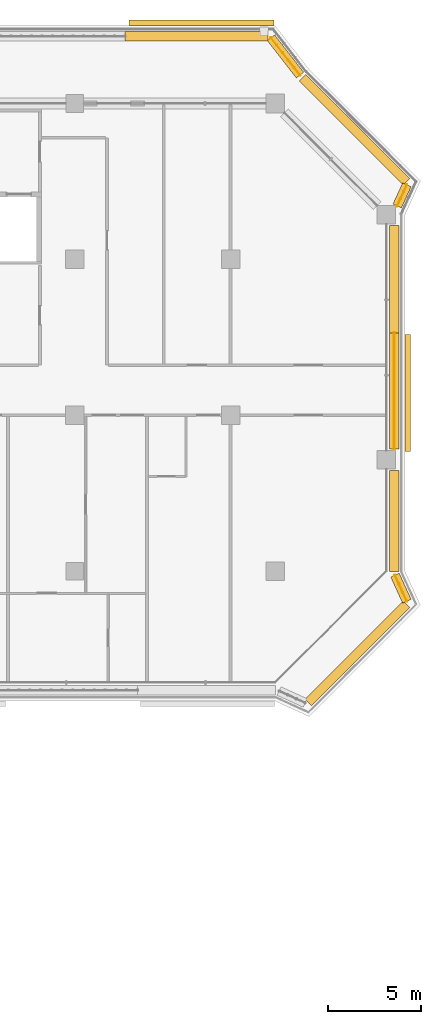
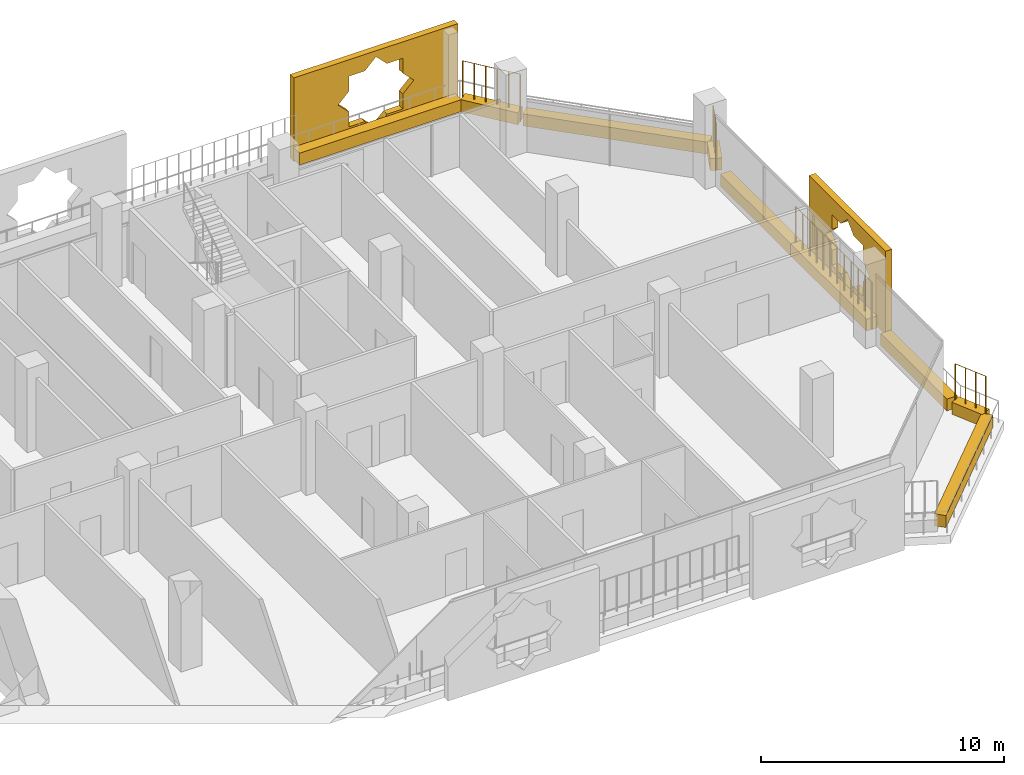
# One storey, part 22 of 22: 11 coverings, 4 railings.
"""IFC4 building model written with IfcOpenShell, lengths in metres."""

import ifcopenshell
import ifcopenshell.guid

model = None  # the IFC model being written
_history = None  # IfcOwnerHistory: only IFC2X3 demands one
_inside = {}  # id of a spatial element -> (the spatial element, [elements in it])
_under = {}  # id of a project, library or spatial element -> (it, [spatial elements below it])
_declared = {}  # id of a project -> (the project, [libraries it declares])
_typed = {}  # id of a type object -> (the type object, [elements of that type])
_made_of = {}  # id of a material, layer set ... -> (it, [elements and type objects made of it])


def new_model(schema):
    """Start an empty IFC model of exactly this schema.

    Asked for "IFC4X3", IfcOpenShell would pick the latest addendum, in which some entities
    have other attributes; the version numbers below select the first issue.
    IFC2X3 requires an IfcOwnerHistory on every rooted entity: one is made here for all.
    """
    global model, _history
    if schema == "IFC4X3":
        model = ifcopenshell.file(schema_version=(4, 3, 0, 0))
    else:
        model = ifcopenshell.file(schema=schema)
    _inside.clear()
    _under.clear()
    _declared.clear()
    _typed.clear()
    _made_of.clear()
    _history = None
    if model.schema == "IFC2X3":
        org = make("IfcOrganization", Name="unknown")
        user = make(
            "IfcPersonAndOrganization",
            ThePerson=make("IfcPerson", FamilyName="unknown"),
            TheOrganization=org,
        )
        app = make(
            "IfcApplication",
            ApplicationDeveloper=org,
            Version="unknown",
            ApplicationFullName="unknown",
            ApplicationIdentifier="unknown",
        )
        _history = make(
            "IfcOwnerHistory",
            OwningUser=user,
            OwningApplication=app,
            ChangeAction="ADDED",
            CreationDate=0,
        )
    return model


def make(cls, **values):
    """One entity of the class cls with the attributes given. An attribute that is None is left unset."""
    return model.create_entity(
        cls, **{name: value for name, value in values.items() if value is not None}
    )


def rooted(cls, **values):
    """An entity with a GlobalId (a new one), such as an element, a storey or a relation."""
    return make(cls, GlobalId=ifcopenshell.guid.new(), OwnerHistory=_history, **values)


def si_unit(unit_type, name, prefix=None):
    """IfcSIUnit, for example si_unit("LENGTHUNIT", "METRE", prefix="MILLI")."""
    return make("IfcSIUnit", UnitType=unit_type, Prefix=prefix, Name=name)


def assignment(units):
    """IfcUnitAssignment: the units of a project."""
    return None if units is None else make("IfcUnitAssignment", Units=units)


def point(xyz):
    """IfcCartesianPoint."""
    return None if xyz is None else make("IfcCartesianPoint", Coordinates=xyz)


def direction(xyz):
    """IfcDirection."""
    return None if xyz is None else make("IfcDirection", DirectionRatios=xyz)


def frame(location, z_axis=None, x_axis=None):
    """IfcAxis2Placement3D, a coordinate frame: its origin and axes. An axis left out is left unset."""
    return make(
        "IfcAxis2Placement3D",
        Location=point(location),
        Axis=direction(z_axis),
        RefDirection=direction(x_axis),
    )


def frame_2d(location, x_axis=None):
    """IfcAxis2Placement2D, a coordinate frame in the plane: its origin and x axis."""
    return make(
        "IfcAxis2Placement2D", Location=point(location), RefDirection=direction(x_axis)
    )


def origin():
    """The frame at (0, 0, 0) with its axes left unset."""
    return frame((0.0, 0.0, 0.0))


def origin_2d():
    """The frame at (0, 0) in the plane with its x axis left unset."""
    return frame_2d((0.0, 0.0))


def place(relative_to, where):
    """IfcLocalPlacement: puts the frame where relative to a parent placement (None: the world)."""
    return make(
        "IfcLocalPlacement", PlacementRelTo=relative_to, RelativePlacement=where
    )


def context(
    kind, dimensions, precision=None, world=None, true_north=None, identifier=None
):
    """IfcGeometricRepresentationContext, for example the 3D "Model" context."""
    return make(
        "IfcGeometricRepresentationContext",
        ContextIdentifier=identifier,
        ContextType=kind,
        CoordinateSpaceDimension=dimensions,
        Precision=precision,
        WorldCoordinateSystem=world,
        TrueNorth=true_north,
    )


def subcontext(parent, identifier, kind, view, scale=None):
    """IfcGeometricRepresentationSubContext, for example "Body" below "Model"."""
    return make(
        "IfcGeometricRepresentationSubContext",
        ContextIdentifier=identifier,
        ContextType=kind,
        ParentContext=parent,
        TargetScale=scale,
        TargetView=view,
    )


def project(units=None, contexts=None):
    """IfcProject with its units and contexts."""
    return rooted(
        "IfcProject",
        Name="project",
        RepresentationContexts=contexts,
        UnitsInContext=assignment(units),
    )


def spatial(cls, under=None, at=None, **own):
    """A site, building, storey or space (cls), placed at a placement, below another one or the project."""
    s = rooted(cls, ObjectPlacement=at, **own)
    if under is not None:
        _under.setdefault(under.id(), (under, []))[1].append(s)
    return s


def polyline(points):
    """IfcPolyline through the points."""
    return make("IfcPolyline", Points=[point(p) for p in points])


def profile(cls, at=None, kind="AREA", **sizes):
    """A parametric profile (cls). Its sizes go by their IFC names, for example OverallWidth=200.0."""
    return make(cls, ProfileType=kind, Position=at, **sizes)


def rectangle(**sizes):
    """IfcRectangleProfileDef."""
    return profile("IfcRectangleProfileDef", **sizes)


def circle(**sizes):
    """IfcCircleProfileDef."""
    return profile("IfcCircleProfileDef", **sizes)


def outline(outer, holes=None, kind="AREA"):
    """IfcArbitraryClosedProfileDef: a profile drawn as a closed curve; with holes, ...WithVoids."""
    if holes is None:
        return make("IfcArbitraryClosedProfileDef", ProfileType=kind, OuterCurve=outer)
    return make(
        "IfcArbitraryProfileDefWithVoids",
        ProfileType=kind,
        OuterCurve=outer,
        InnerCurves=holes,
    )


def extrude(swept, where, along, depth):
    """IfcExtrudedAreaSolid: the profile swept, set in the frame where, extruded along a direction by depth."""
    return make(
        "IfcExtrudedAreaSolid",
        SweptArea=swept,
        Position=where,
        ExtrudedDirection=direction(along),
        Depth=depth,
    )


def shape(context_of_items, identifier, shape_type, items):
    """IfcShapeRepresentation: the items that make up one representation, for example the "Body"."""
    return make(
        "IfcShapeRepresentation",
        ContextOfItems=context_of_items,
        RepresentationIdentifier=identifier,
        RepresentationType=shape_type,
        Items=items,
    )


def material(Name=None, Category=None):
    """IfcMaterial."""
    return make("IfcMaterial", Name=Name, Category=Category)


def material_profile(
    of_material, cross_section, Name=None, Category=None, Priority=None
):
    """IfcMaterialProfile: a cross section and its material."""
    return make(
        "IfcMaterialProfile",
        Name=Name,
        Material=of_material,
        Profile=cross_section,
        Priority=Priority,
        Category=Category,
    )


def profile_set(profiles, Name=None, composite=None):
    """IfcMaterialProfileSet."""
    return make(
        "IfcMaterialProfileSet",
        Name=Name,
        MaterialProfiles=profiles,
        CompositeProfile=composite,
    )


def made_of(thing, what):
    """Note that an element or type object is made of a material, layer set ...; save() writes the relation."""
    if what is not None:
        _made_of.setdefault(what.id(), (what, []))[1].append(thing)
    return thing


def type_object(cls, material=None, **own):
    """A type object (cls), such as IfcWallType, which elements share."""
    return made_of(rooted(cls, **own), material)


def element(
    cls,
    number,
    at=None,
    inside=None,
    cuts=None,
    type_object=None,
    material=None,
    context=None,
    identifier="Body",
    shape_type=None,
    held_by="IfcProductDefinitionShape",
    body=None,
    shapes=None,
    **own,
):
    """One element of the class cls, such as IfcWall. Its Tag is "e" and its number.

    at: its placement. inside: the storey or other place that contains it. cuts: it is an
    opening in that element (IfcRelVoidsElement). A single representation is given by context,
    identifier, shape_type and body (its items); several are given by shapes. held_by: the class
    of the entity that holds the representations. save() writes the other relations.
    """
    e = rooted(cls, Tag="e%d" % number, ObjectPlacement=at, **own)
    if body is not None:
        shapes = [shape(context, identifier, shape_type, body)]
    if shapes is not None:
        e.Representation = make(held_by, Representations=shapes)
    if inside is not None:
        _inside.setdefault(inside.id(), (inside, []))[1].append(e)
    if cuts is not None:
        rooted(
            "IfcRelVoidsElement", RelatingBuildingElement=cuts, RelatedOpeningElement=e
        )
    if type_object is not None:
        _typed.setdefault(type_object.id(), (type_object, []))[1].append(e)
    return made_of(e, material)


def aggregate(whole, parts):
    """IfcRelAggregates: a whole, such as a stair, and the parts it consists of."""
    return rooted("IfcRelAggregates", RelatingObject=whole, RelatedObjects=parts)


def save(model, path):
    """Write the relations noted so far, then the file.

    IfcRelAggregates (storeys below a building ...), IfcRelContainedInSpatialStructure (elements
    in a storey), IfcRelDefinesByType, IfcRelAssociatesMaterial and IfcRelDeclares: one each for
    every whole, place, type object, material and project.
    """
    for whole, parts in _under.values():
        aggregate(whole, parts)
    for where, things in _inside.values():
        rooted(
            "IfcRelContainedInSpatialStructure",
            RelatedElements=things,
            RelatingStructure=where,
        )
    for kind, things in _typed.values():
        rooted("IfcRelDefinesByType", RelatedObjects=things, RelatingType=kind)
    for what, things in _made_of.values():
        rooted("IfcRelAssociatesMaterial", RelatedObjects=things, RelatingMaterial=what)
    for by, libraries in _declared.values():
        rooted("IfcRelDeclares", RelatingContext=by, RelatedDefinitions=libraries)
    model.write(path)


model = new_model("IFC4")

# Units and contexts
model_context = context("Model", 3, precision=1e-05, world=origin(), true_north=direction((0.0, 1.0)))
body_context = subcontext(model_context, "Body", "Model", "MODEL_VIEW")
ifc_project = project(units=[si_unit("LENGTHUNIT", "METRE"), si_unit("AREAUNIT", "SQUARE_METRE"), si_unit("VOLUMEUNIT", "CUBIC_METRE"), si_unit("PLANEANGLEUNIT", "RADIAN"), si_unit("MASSUNIT", "GRAM", prefix="KILO")], contexts=[model_context])

# Site, building, storey
site_placement = place(None, origin())
site = spatial("IfcSite", under=ifc_project, at=site_placement, CompositionType="ELEMENT")
building_placement = place(site_placement, origin())
building = spatial("IfcBuilding", under=site, at=building_placement, Name="Kawkab Arch Medical Tower", CompositionType="ELEMENT")
storey_placement = place(building_placement, frame((0.0, 0.0, 204.60009765625)))
storey = spatial("IfcBuildingStorey", under=building, at=storey_placement, Name="L47", CompositionType="ELEMENT", Elevation=204.60009765625)

# Coverings
ifc_material_1 = material(Name="Bronze anodised aluminium mashrabiya panel, eight-point star pattern", Category="aluminium")
ifc_material_profile_1 = material_profile(ifc_material_1, outline(polyline([(-3.14990234375, -2.10009765625), (3.14990234375, -2.10009765625), (3.14990234375, 2.10009765625), (-3.14990234375, 2.10009765625), (-3.14990234375, -2.10009765625)]), holes=[polyline([(1.800048828125, 0.0), (1.272705078125, 0.527099609375), (1.272705078125, 1.272705078125), (0.527099609375, 1.272705078125), (0.0, 1.800048828125), (-0.527099609375, 1.272705078125), (-1.272705078125, 1.272705078125), (-1.272705078125, 0.527099609375), (-1.800048828125, 0.0), (-1.272705078125, -0.527099609375), (-1.272705078125, -1.272705078125), (-0.527099609375, -1.272705078125), (0.0, -1.800048828125), (0.527099609375, -1.272705078125), (1.272705078125, -1.272705078125), (1.272705078125, -0.527099609375), (1.800048828125, 0.0)])]), Name="Mashrabiya panel 6300x4200")
ifc_profile_set_1 = profile_set([ifc_material_profile_1], Name="Bronze anodised aluminium mashrabiya panel, eight-point star pattern")
covering_type_1 = type_object("IfcCoveringType", Name="Mashrabiya panel 6300 x 4200", PredefinedType="USERDEFINED", material=ifc_profile_set_1)
covering_1_placement = place(storey_placement, frame((68.199951171875, -15.60009765625, 1.699951171875), z_axis=(1.0, 0.0, 0.0), x_axis=(0.0, 1.0, 0.0)))
element("IfcCovering", 1, at=covering_1_placement, inside=storey, type_object=covering_type_1, Name="Mashrabiya panel L47.LOG-01-01.9", ObjectType="SCREEN", PredefinedType="USERDEFINED", context=body_context, shape_type="SweptSolid", body=[
    extrude(outline(polyline([(-3.14990234375, -2.10009765625), (3.14990234375, -2.10009765625), (3.14990234375, 2.10009765625), (-3.14990234375, 2.10009765625), (-3.14990234375, -2.10009765625)]), holes=[polyline([(1.800048828125, 0.0), (1.272705078125, 0.527099609375), (1.272705078125, 1.272705078125), (0.527099609375, 1.272705078125), (0.0, 1.800048828125), (-0.527099609375, 1.272705078125), (-1.272705078125, 1.272705078125), (-1.272705078125, 0.527099609375), (-1.800048828125, 0.0), (-1.272705078125, -0.527099609375), (-1.272705078125, -1.272705078125), (-0.527099609375, -1.272705078125), (0.0, -1.800048828125), (0.527099609375, -1.272705078125), (1.272705078125, -1.272705078125), (1.272705078125, -0.527099609375), (1.800048828125, 0.0)])]), origin(), (0.0, 0.0, 1.0), 0.300048828125),
])
ifc_material_2 = material(Name="Bronze anodised aluminium mashrabiya panel, eight-point star pattern", Category="aluminium")
ifc_material_profile_2 = material_profile(ifc_material_2, outline(polyline([(-3.89990234375, -2.10009765625), (3.89990234375, -2.10009765625), (3.89990234375, 2.10009765625), (-3.89990234375, 2.10009765625), (-3.89990234375, -2.10009765625)]), holes=[polyline([(1.800048828125, 0.0), (1.272705078125, 0.527099609375), (1.272705078125, 1.272705078125), (0.527099609375, 1.272705078125), (0.0, 1.800048828125), (-0.527099609375, 1.272705078125), (-1.272705078125, 1.272705078125), (-1.272705078125, 0.527099609375), (-1.800048828125, 0.0), (-1.272705078125, -0.527099609375), (-1.272705078125, -1.272705078125), (-0.527099609375, -1.272705078125), (0.0, -1.800048828125), (0.527099609375, -1.272705078125), (1.272705078125, -1.272705078125), (1.272705078125, -0.527099609375), (1.800048828125, 0.0)])]), Name="Mashrabiya panel 7800x4200")
ifc_profile_set_2 = profile_set([ifc_material_profile_2], Name="Bronze anodised aluminium mashrabiya panel, eight-point star pattern")
covering_type_2 = type_object("IfcCoveringType", Name="Mashrabiya panel 7800 x 4200", PredefinedType="USERDEFINED", material=ifc_profile_set_2)
covering_2_placement = place(storey_placement, frame((57.23291015625, 4.199951171875, 1.699951171875), z_axis=(0.0, 1.0, 0.0), x_axis=(-1.0, 0.0, 0.0)))
element("IfcCovering", 2, at=covering_2_placement, inside=storey, type_object=covering_type_2, Name="Mashrabiya panel L47.LOG-01-01.8", ObjectType="SCREEN", PredefinedType="USERDEFINED", context=body_context, shape_type="SweptSolid", body=[
    extrude(outline(polyline([(-3.89990234375, -2.10009765625), (3.89990234375, -2.10009765625), (3.89990234375, 2.10009765625), (-3.89990234375, 2.10009765625), (-3.89990234375, -2.10009765625)]), holes=[polyline([(1.800048828125, 0.0), (1.272705078125, 0.527099609375), (1.272705078125, 1.272705078125), (0.527099609375, 1.272705078125), (0.0, 1.800048828125), (-0.527099609375, 1.272705078125), (-1.272705078125, 1.272705078125), (-1.272705078125, 0.527099609375), (-1.800048828125, 0.0), (-1.272705078125, -0.527099609375), (-1.272705078125, -1.272705078125), (-0.527099609375, -1.272705078125), (0.0, -1.800048828125), (0.527099609375, -1.272705078125), (1.272705078125, -1.272705078125), (1.272705078125, -0.527099609375), (1.800048828125, 0.0)])]), origin(), (0.0, 0.0, 1.0), 0.300048828125),
])
ifc_material_3 = material(Name="Planting soil in a precast trough", Category="concrete")
ifc_material_profile_3 = material_profile(ifc_material_3, rectangle(XDim=0.5, YDim=0.60009765625, at=origin_2d()), Name="Trough 500x600")
ifc_profile_set_3 = profile_set([ifc_material_profile_3], Name="Planting soil in a precast trough")
covering_type_3 = type_object("IfcCoveringType", Name="Planter trough 500 x 600", PredefinedType="USERDEFINED", material=ifc_profile_set_3)
covering_3_placement = place(storey_placement, frame((53.112060546875, 3.6201171875, 0.2998046875), z_axis=(1.0, 0.0, 0.0), x_axis=(0.0, 1.0, 0.0)))
element("IfcCovering", 3, at=covering_3_placement, inside=storey, type_object=covering_type_3, Name="Planter L47.LOG-01-01.24", ObjectType="PLANTER", PredefinedType="USERDEFINED", context=body_context, shape_type="SweptSolid", body=[
    extrude(rectangle(XDim=0.5, YDim=0.60009765625, at=origin_2d()), origin(), (0.0, 0.0, 1.0), 7.703857421875),
])
covering_4_placement = place(storey_placement, frame((60.97802734375, 3.541015625, 0.2998046875), z_axis=(0.61404021143, -0.789274742246, 0.0), x_axis=(0.789274742246, 0.61404021143, 0.0)))
element("IfcCovering", 4, at=covering_4_placement, inside=storey, type_object=covering_type_3, Name="Planter L47.LOG-01-01.25", ObjectType="PLANTER", PredefinedType="USERDEFINED", context=body_context, shape_type="SweptSolid", body=[
    extrude(rectangle(XDim=0.5, YDim=0.60009765625, at=origin_2d()), origin(), (0.0, 0.0, 1.0), 2.54541015625),
])
covering_5_placement = place(storey_placement, frame((62.673095703125, 1.383056640625, 0.2998046875), z_axis=(0.707091367247, -0.70712219479, 0.0), x_axis=(0.70712219479, 0.707091367247, 0.0)))
element("IfcCovering", 5, at=covering_5_placement, inside=storey, type_object=covering_type_3, Name="Planter L47.LOG-01-01.26", ObjectType="PLANTER", PredefinedType="USERDEFINED", context=body_context, shape_type="SweptSolid", body=[
    extrude(rectangle(XDim=0.5, YDim=0.60009765625, at=origin_2d()), origin(), (0.0, 0.0, 1.0), 7.919677734375),
])
covering_6_placement = place(storey_placement, frame((68.302001953125, -4.37890625, 0.2998046875), z_axis=(-0.415089762627, -0.909780461959, 0.0), x_axis=(0.909780461959, -0.415089762627, 0.0)))
element("IfcCovering", 6, at=covering_6_placement, inside=storey, type_object=covering_type_3, Name="Planter L47.LOG-01-01.27", ObjectType="PLANTER", PredefinedType="USERDEFINED", context=body_context, shape_type="SweptSolid", body=[
    extrude(rectangle(XDim=0.5, YDim=0.60009765625, at=origin_2d()), origin(), (0.0, 0.0, 1.0), 1.257568359375),
])
covering_7_placement = place(storey_placement, frame((67.6201171875, -6.580078125, 0.2998046875), z_axis=(0.0, -1.0, 0.0), x_axis=(1.0, 0.0, 0.0)))
element("IfcCovering", 7, at=covering_7_placement, inside=storey, type_object=covering_type_3, Name="Planter L47.LOG-01-01.28", ObjectType="PLANTER", PredefinedType="USERDEFINED", context=body_context, shape_type="SweptSolid", body=[
    extrude(rectangle(XDim=0.5, YDim=0.60009765625, at=origin_2d()), origin(), (0.0, 0.0, 1.0), 5.77783203125),
])
covering_8_placement = place(storey_placement, frame((67.6201171875, -12.35791015625, 0.2998046875), z_axis=(0.0, -1.0, 0.0), x_axis=(1.0, 0.0, 0.0)))
element("IfcCovering", 8, at=covering_8_placement, inside=storey, type_object=covering_type_3, Name="Planter L47.LOG-01-01.29", ObjectType="PLANTER", PredefinedType="USERDEFINED", context=body_context, shape_type="SweptSolid", body=[
    extrude(rectangle(XDim=0.5, YDim=0.60009765625, at=origin_2d()), origin(), (0.0, 0.0, 1.0), 6.26220703125),
])
covering_9_placement = place(storey_placement, frame((67.6201171875, -19.780029296875, 0.2998046875), z_axis=(0.0, -1.0, 0.0), x_axis=(1.0, 0.0, 0.0)))
element("IfcCovering", 9, at=covering_9_placement, inside=storey, type_object=covering_type_3, Name="Planter L47.LOG-01-01.30", ObjectType="PLANTER", PredefinedType="USERDEFINED", context=body_context, shape_type="SweptSolid", body=[
    extrude(rectangle(XDim=0.5, YDim=0.60009765625, at=origin_2d()), origin(), (0.0, 0.0, 1.0), 5.446044921875),
])
covering_10_placement = place(storey_placement, frame((67.660888671875, -25.4169921875, 0.2998046875), z_axis=(0.415363486165, -0.909655525109, 0.0), x_axis=(0.909655525109, 0.415363486165, 0.0)))
element("IfcCovering", 10, at=covering_10_placement, inside=storey, type_object=covering_type_3, Name="Planter L47.LOG-01-01.31", ObjectType="PLANTER", PredefinedType="USERDEFINED", context=body_context, shape_type="SweptSolid", body=[
    extrude(rectangle(XDim=0.5, YDim=0.60009765625, at=origin_2d()), origin(), (0.0, 0.0, 1.0), 1.54345703125),
])
covering_11_placement = place(storey_placement, frame((68.27294921875, -26.98291015625, 0.2998046875), z_axis=(-0.707106781187, -0.707106781187, 0.0), x_axis=(0.707106781187, -0.707106781187, 0.0)))
element("IfcCovering", 11, at=covering_11_placement, inside=storey, type_object=covering_type_3, Name="Planter L47.LOG-01-01.32", ObjectType="PLANTER", PredefinedType="USERDEFINED", context=body_context, shape_type="SweptSolid", body=[
    extrude(rectangle(XDim=0.5, YDim=0.60009765625, at=origin_2d()), origin(), (0.0, 0.0, 1.0), 7.481201171875),
])

# Railings
ifc_material_4 = material(Name="Bronze anodised aluminium trellis for climbing plants", Category="aluminium")
railing_type = type_object("IfcRailingType", Name="Planting trellis 2400", PredefinedType="USERDEFINED", material=ifc_material_4)
railing_1_placement = place(storey_placement, frame((60.97802734375, 3.541015625, 0.0)))
element("IfcRailing", 12, at=railing_1_placement, inside=storey, type_object=railing_type, Name="Planting trellis L47.LOG-01-01.25", ObjectType="TRELLIS", PredefinedType="USERDEFINED", context=body_context, shape_type="SweptSolid", body=[
    extrude(circle(Radius=0.01513671875, at=origin_2d()), frame((0.0, 0.0, 2.384765625), z_axis=(0.61404021143, -0.789274742246, 0.0), x_axis=(0.789274742246, 0.61404021143, 0.0)), (0.0, 0.0, 1.0), 2.54541015625),
    extrude(circle(Radius=0.030029296875, at=origin_2d()), origin(), (0.0, 0.0, 1.0), 2.369873046875),
    extrude(circle(Radius=0.030029296875, at=origin_2d()), frame((0.3125, -0.40185546875, 0.0)), (0.0, 0.0, 1.0), 2.369873046875),
    extrude(circle(Radius=0.030029296875, at=origin_2d()), frame((0.625244140625, -0.8037109375, 0.0)), (0.0, 0.0, 1.0), 2.369873046875),
    extrude(circle(Radius=0.030029296875, at=origin_2d()), frame((0.937744140625, -1.205322265625, 0.0)), (0.0, 0.0, 1.0), 2.369873046875),
    extrude(circle(Radius=0.030029296875, at=origin_2d()), frame((1.25048828125, -1.607177734375, 0.0)), (0.0, 0.0, 1.0), 2.369873046875),
    extrude(circle(Radius=0.030029296875, at=origin_2d()), frame((1.56298828125, -2.009033203125, 0.0)), (0.0, 0.0, 1.0), 2.369873046875),
])
railing_2_placement = place(storey_placement, frame((68.302001953125, -4.37890625, 0.0)))
element("IfcRailing", 13, at=railing_2_placement, inside=storey, type_object=railing_type, Name="Planting trellis L47.LOG-01-01.27", ObjectType="TRELLIS", PredefinedType="USERDEFINED", context=body_context, shape_type="SweptSolid", body=[
    extrude(circle(Radius=0.01513671875, at=origin_2d()), frame((0.0, 0.0, 2.384765625), z_axis=(-0.415089762627, -0.909780461959, 0.0), x_axis=(0.909780461959, -0.415089762627, 0.0)), (0.0, 0.0, 1.0), 1.257568359375),
    extrude(circle(Radius=0.030029296875, at=origin_2d()), origin(), (0.0, 0.0, 1.0), 2.369873046875),
    extrude(circle(Radius=0.030029296875, at=origin_2d()), frame((-0.174072265625, -0.38134765625, 0.0)), (0.0, 0.0, 1.0), 2.369873046875),
    extrude(circle(Radius=0.030029296875, at=origin_2d()), frame((-0.347900390625, -0.7626953125, 0.0)), (0.0, 0.0, 1.0), 2.369873046875),
    extrude(circle(Radius=0.030029296875, at=origin_2d()), frame((-0.52197265625, -1.14404296875, 0.0)), (0.0, 0.0, 1.0), 2.369873046875),
])
railing_3_placement = place(storey_placement, frame((67.6201171875, -12.35791015625, 0.0)))
element("IfcRailing", 14, at=railing_3_placement, inside=storey, type_object=railing_type, Name="Planting trellis L47.LOG-01-01.29", ObjectType="TRELLIS", PredefinedType="USERDEFINED", context=body_context, shape_type="SweptSolid", body=[
    extrude(circle(Radius=0.01513671875, at=origin_2d()), frame((0.0, 0.0, 2.384765625), z_axis=(0.0, -1.0, 0.0), x_axis=(1.0, 0.0, 0.0)), (0.0, 0.0, 1.0), 6.26220703125),
    extrude(circle(Radius=0.030029296875, at=origin_2d()), origin(), (0.0, 0.0, 1.0), 2.369873046875),
    extrude(circle(Radius=0.030029296875, at=origin_2d()), frame((0.0, -0.5693359375, 0.0)), (0.0, 0.0, 1.0), 2.369873046875),
    extrude(circle(Radius=0.030029296875, at=origin_2d()), frame((0.0, -1.138671875, 0.0)), (0.0, 0.0, 1.0), 2.369873046875),
    extrude(circle(Radius=0.030029296875, at=origin_2d()), frame((0.0, -1.707763671875, 0.0)), (0.0, 0.0, 1.0), 2.369873046875),
    extrude(circle(Radius=0.030029296875, at=origin_2d()), frame((0.0, -2.277099609375, 0.0)), (0.0, 0.0, 1.0), 2.369873046875),
    extrude(circle(Radius=0.030029296875, at=origin_2d()), frame((0.0, -2.846435546875, 0.0)), (0.0, 0.0, 1.0), 2.369873046875),
    extrude(circle(Radius=0.030029296875, at=origin_2d()), frame((0.0, -3.415771484375, 0.0)), (0.0, 0.0, 1.0), 2.369873046875),
    extrude(circle(Radius=0.030029296875, at=origin_2d()), frame((0.0, -3.985107421875, 0.0)), (0.0, 0.0, 1.0), 2.369873046875),
    extrude(circle(Radius=0.030029296875, at=origin_2d()), frame((0.0, -4.554443359375, 0.0)), (0.0, 0.0, 1.0), 2.369873046875),
    extrude(circle(Radius=0.030029296875, at=origin_2d()), frame((0.0, -5.12353515625, 0.0)), (0.0, 0.0, 1.0), 2.369873046875),
    extrude(circle(Radius=0.030029296875, at=origin_2d()), frame((0.0, -5.69287109375, 0.0)), (0.0, 0.0, 1.0), 2.369873046875),
    extrude(circle(Radius=0.030029296875, at=origin_2d()), frame((0.0, -6.26220703125, 0.0)), (0.0, 0.0, 1.0), 2.369873046875),
])
railing_4_placement = place(storey_placement, frame((67.660888671875, -25.4169921875, 0.0)))
element("IfcRailing", 15, at=railing_4_placement, inside=storey, type_object=railing_type, Name="Planting trellis L47.LOG-01-01.31", ObjectType="TRELLIS", PredefinedType="USERDEFINED", context=body_context, shape_type="SweptSolid", body=[
    extrude(circle(Radius=0.01513671875, at=origin_2d()), frame((0.0, 0.0, 2.384765625), z_axis=(0.415363486165, -0.909655525109, 0.0), x_axis=(0.909655525109, 0.415363486165, 0.0)), (0.0, 0.0, 1.0), 1.54345703125),
    extrude(circle(Radius=0.030029296875, at=origin_2d()), origin(), (0.0, 0.0, 1.0), 2.369873046875),
    extrude(circle(Radius=0.030029296875, at=origin_2d()), frame((0.213623046875, -0.468017578125, 0.0)), (0.0, 0.0, 1.0), 2.369873046875),
    extrude(circle(Radius=0.030029296875, at=origin_2d()), frame((0.427490234375, -0.93603515625, 0.0)), (0.0, 0.0, 1.0), 2.369873046875),
    extrude(circle(Radius=0.030029296875, at=origin_2d()), frame((0.64111328125, -1.404052734375, 0.0)), (0.0, 0.0, 1.0), 2.369873046875),
])

save(model, "model.ifc")
